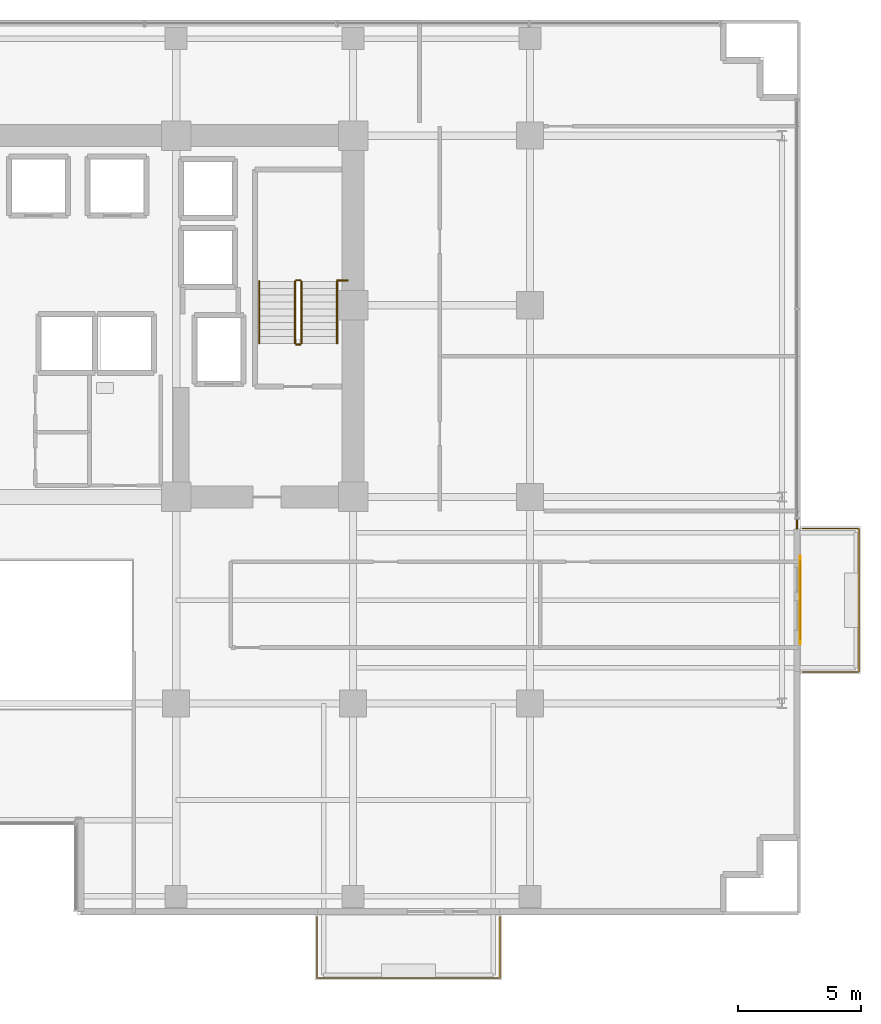
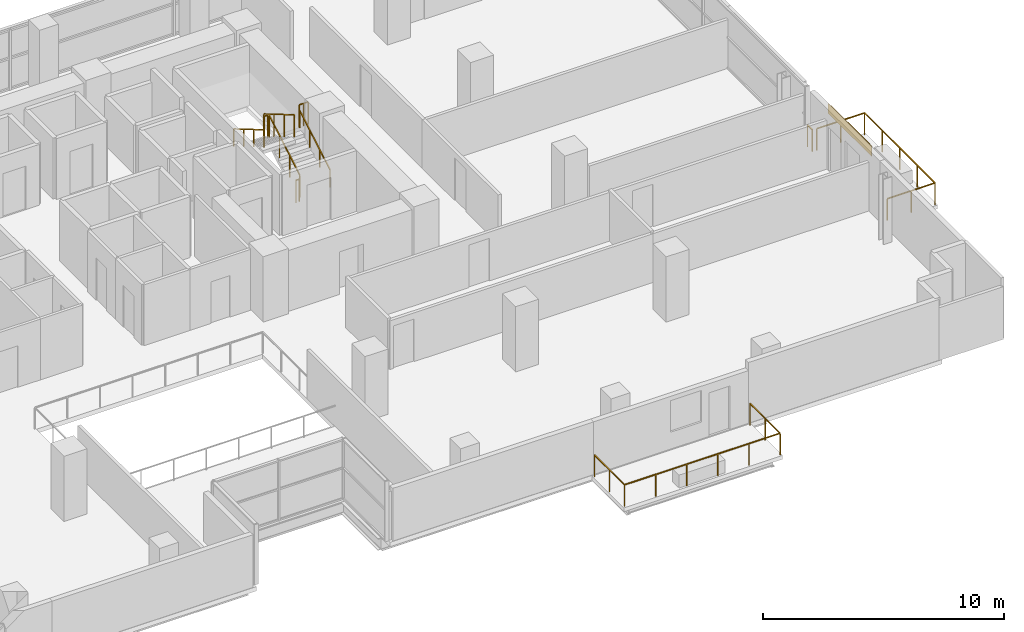
# One storey, part 25 of 26: 10 railings, 1 covering, 1 shading device.
"""IFC4 building model written with IfcOpenShell, lengths in metres."""

from ifc_helpers import new_model, si_unit, direction, frame, origin, origin_2d, place, context, subcontext, project, spatial, rectangle, extrude, source, transform, mapped, material, layer, layer_set, type_object, element, save


model = new_model("IFC4")

# Units and contexts
model_context = context("Model", 3, precision=1e-05, world=origin(), true_north=direction((0.0, 1.0)))
body_context = subcontext(model_context, "Body", "Model", "MODEL_VIEW")
ifc_project = project(units=[si_unit("LENGTHUNIT", "METRE"), si_unit("AREAUNIT", "SQUARE_METRE"), si_unit("VOLUMEUNIT", "CUBIC_METRE"), si_unit("PLANEANGLEUNIT", "RADIAN"), si_unit("MASSUNIT", "GRAM", prefix="KILO")], contexts=[model_context])

# Site, building, storey
site_placement = place(None, origin())
site = spatial("IfcSite", under=ifc_project, at=site_placement, CompositionType="ELEMENT")
building_placement = place(site_placement, origin())
building = spatial("IfcBuilding", under=site, at=building_placement, Name="Zarnakvel Exchange Tower", CompositionType="ELEMENT")
storey_placement = place(building_placement, frame((0.0, 0.0, 70.300048828125)))
storey = spatial("IfcBuildingStorey", under=building, at=storey_placement, Name="L19", CompositionType="ELEMENT", Elevation=70.300048828125)

# Railings
ifc_material_1 = material(Name="Architectural Bronze Anodised Aluminium", Category="aluminium")
railing_type_1 = type_object("IfcRailingType", Name="GR-02", PredefinedType="GUARDRAIL", material=ifc_material_1)
railing_1_placement = place(storey_placement, frame((12.929931640625, -18.280029296875, -0.03515625)))
element("IfcRailing", 1, at=railing_1_placement, inside=storey, type_object=railing_type_1, Name="L19 Balcony Guardrail BAL-L19-SE", PredefinedType="GUARDRAIL", context=body_context, shape_type="SweptSolid", body=[
    extrude(rectangle(XDim=0.048095703125, YDim=0.048095703125, at=origin_2d()), frame((0.0, 0.0, 1.09619140625), z_axis=(0.0, -1.0, 0.0), x_axis=(1.0, 0.0, 0.0)), (0.0, 0.0, 1.0), 2.489990234375),
    extrude(rectangle(XDim=0.048095703125, YDim=0.048095703125, at=origin_2d()), frame((0.0, -2.489990234375, 1.09619140625), z_axis=(1.0, 0.0, 0.0), x_axis=(0.0, 1.0, 0.0)), (0.0, 0.0, 1.0), 7.440185546875),
    extrude(rectangle(XDim=0.048095703125, YDim=0.048095703125, at=origin_2d()), frame((7.440185546875, -2.489990234375, 1.09619140625), z_axis=(0.0, 1.0, 0.0), x_axis=(-1.0, 0.0, 0.0)), (0.0, 0.0, 1.0), 2.489990234375),
    extrude(rectangle(XDim=0.0419921875, YDim=0.0419921875, at=origin_2d()), origin(), (0.0, 0.0, 1.0), 1.072021484375),
    extrude(rectangle(XDim=0.0419921875, YDim=0.0419921875, at=origin_2d()), frame((0.0, -1.2451171875, 0.0)), (0.0, 0.0, 1.0), 1.072021484375),
    extrude(rectangle(XDim=0.0419921875, YDim=0.0419921875, at=origin_2d()), frame((0.0, -2.489990234375, 0.0)), (0.0, 0.0, 1.0), 1.072021484375),
    extrude(rectangle(XDim=0.0419921875, YDim=0.0419921875, at=origin_2d()), frame((1.488037109375, -2.489990234375, 0.0)), (0.0, 0.0, 1.0), 1.072021484375),
    extrude(rectangle(XDim=0.0419921875, YDim=0.0419921875, at=origin_2d()), frame((2.97607421875, -2.489990234375, 0.0)), (0.0, 0.0, 1.0), 1.072021484375),
    extrude(rectangle(XDim=0.0419921875, YDim=0.0419921875, at=origin_2d()), frame((4.464111328125, -2.489990234375, 0.0)), (0.0, 0.0, 1.0), 1.072021484375),
    extrude(rectangle(XDim=0.0419921875, YDim=0.0419921875, at=origin_2d()), frame((5.9521484375, -2.489990234375, 0.0)), (0.0, 0.0, 1.0), 1.072021484375),
    extrude(rectangle(XDim=0.0419921875, YDim=0.0419921875, at=origin_2d()), frame((7.440185546875, -2.489990234375, 0.0)), (0.0, 0.0, 1.0), 1.072021484375),
    extrude(rectangle(XDim=0.0419921875, YDim=0.0419921875, at=origin_2d()), frame((7.440185546875, -1.2451171875, 0.0)), (0.0, 0.0, 1.0), 1.072021484375),
    extrude(rectangle(XDim=0.0419921875, YDim=0.0419921875, at=origin_2d()), frame((7.440185546875, 0.0, 0.0)), (0.0, 0.0, 1.0), 1.072021484375),
])
railing_2_placement = place(storey_placement, frame((32.679931640625, -8.320068359375, -0.03515625)))
element("IfcRailing", 2, at=railing_2_placement, inside=storey, type_object=railing_type_1, Name="L19 Balcony Guardrail BAL-L19-E", PredefinedType="GUARDRAIL", context=body_context, shape_type="SweptSolid", body=[
    extrude(rectangle(XDim=0.048095703125, YDim=0.048095703125, at=origin_2d()), frame((0.0, 0.0, 1.09619140625), z_axis=(1.0, 0.0, 0.0), x_axis=(0.0, 1.0, 0.0)), (0.0, 0.0, 1.0), 2.2900390625),
    extrude(rectangle(XDim=0.048095703125, YDim=0.048095703125, at=origin_2d()), frame((2.2900390625, 0.0, 1.09619140625), z_axis=(0.0, 1.0, 0.0), x_axis=(-1.0, 0.0, 0.0)), (0.0, 0.0, 1.0), 5.840087890625),
    extrude(rectangle(XDim=0.048095703125, YDim=0.048095703125, at=origin_2d()), frame((2.2900390625, 5.840087890625, 1.09619140625), z_axis=(-1.0, 0.0, 0.0), x_axis=(0.0, -1.0, 0.0)), (0.0, 0.0, 1.0), 2.2900390625),
    extrude(rectangle(XDim=0.0419921875, YDim=0.0419921875, at=origin_2d()), origin(), (0.0, 0.0, 1.0), 1.072021484375),
    extrude(rectangle(XDim=0.0419921875, YDim=0.0419921875, at=origin_2d()), frame((1.14501953125, 0.0, 0.0)), (0.0, 0.0, 1.0), 1.072021484375),
    extrude(rectangle(XDim=0.0419921875, YDim=0.0419921875, at=origin_2d()), frame((2.2900390625, 0.0, 0.0)), (0.0, 0.0, 1.0), 1.072021484375),
    extrude(rectangle(XDim=0.0419921875, YDim=0.0419921875, at=origin_2d()), frame((2.2900390625, 1.4599609375, 0.0)), (0.0, 0.0, 1.0), 1.072021484375),
    extrude(rectangle(XDim=0.0419921875, YDim=0.0419921875, at=origin_2d()), frame((2.2900390625, 2.919921875, 0.0)), (0.0, 0.0, 1.0), 1.072021484375),
    extrude(rectangle(XDim=0.0419921875, YDim=0.0419921875, at=origin_2d()), frame((2.2900390625, 4.380126953125, 0.0)), (0.0, 0.0, 1.0), 1.072021484375),
    extrude(rectangle(XDim=0.0419921875, YDim=0.0419921875, at=origin_2d()), frame((2.2900390625, 5.840087890625, 0.0)), (0.0, 0.0, 1.0), 1.072021484375),
    extrude(rectangle(XDim=0.0419921875, YDim=0.0419921875, at=origin_2d()), frame((1.14501953125, 5.840087890625, 0.0)), (0.0, 0.0, 1.0), 1.072021484375),
    extrude(rectangle(XDim=0.0419921875, YDim=0.0419921875, at=origin_2d()), frame((0.0, 5.840087890625, 0.0)), (0.0, 0.0, 1.0), 1.072021484375),
])
railing_3_placement = place(storey_placement, frame((32.4599609375, -2.10009765625, 0.0)))
element("IfcRailing", 3, at=railing_3_placement, inside=storey, type_object=railing_type_1, Name="L19 Corner Spandrel Balustrade #9", PredefinedType="GUARDRAIL", context=body_context, shape_type="SweptSolid", body=[
    extrude(rectangle(XDim=0.048095703125, YDim=0.048095703125, at=origin_2d()), frame((0.0, 0.0, 1.09619140625), z_axis=(0.0, -1.0, 0.0), x_axis=(1.0, 0.0, 0.0)), (0.0, 0.0, 1.0), 0.39990234375),
    extrude(rectangle(XDim=0.0419921875, YDim=0.0419921875, at=origin_2d()), origin(), (0.0, 0.0, 1.0), 1.072021484375),
    extrude(rectangle(XDim=0.0419921875, YDim=0.0419921875, at=origin_2d()), frame((0.0, -0.39990234375, 0.0)), (0.0, 0.0, 1.0), 1.072021484375),
])
ifc_material_2 = material(Name="Brushed Stainless Steel", Category="steel")
railing_type_2 = type_object("IfcRailingType", Name="HR-01", PredefinedType="HANDRAIL", material=ifc_material_2)
railing_4_placement = place(storey_placement, frame((13.75, 5.050048828125, 0.1650390625)))
element("IfcRailing", 4, at=railing_4_placement, inside=storey, type_object=railing_type_2, Name="L19 ST-02 stair handrail 1", PredefinedType="HANDRAIL", context=body_context, shape_type="SweptSolid", body=[
    extrude(rectangle(XDim=0.048095703125, YDim=0.048095703125, at=origin_2d()), frame((0.0, 0.0, 0.8759765625), z_axis=(0.0, 0.861560626758, 0.507654692109), x_axis=(-1.0, 0.0, 0.0)), (0.0, 0.0, 1.0), 2.925048828125),
    extrude(rectangle(XDim=0.0419921875, YDim=0.0419921875, at=origin_2d()), origin(), (0.0, 0.0, 1.0), 0.851806640625),
    extrude(rectangle(XDim=0.0419921875, YDim=0.0419921875, at=origin_2d()), frame((0.0, 0.840087890625, 0.494873046875)), (0.0, 0.0, 1.0), 0.851806640625),
    extrude(rectangle(XDim=0.0419921875, YDim=0.0419921875, at=origin_2d()), frame((0.0, 1.679931640625, 0.989990234375)), (0.0, 0.0, 1.0), 0.851806640625),
    extrude(rectangle(XDim=0.0419921875, YDim=0.0419921875, at=origin_2d()), frame((0.0, 2.52001953125, 1.48486328125)), (0.0, 0.0, 1.0), 0.851806640625),
])
railing_5_placement = place(storey_placement, frame((10.590087890625, 7.570068359375, 1.81494140625)))
element("IfcRailing", 5, at=railing_5_placement, inside=storey, type_object=railing_type_2, Name="L19 ST-02 stair handrail 2", PredefinedType="HANDRAIL", context=body_context, shape_type="SweptSolid", body=[
    extrude(rectangle(XDim=0.048095703125, YDim=0.048095703125, at=origin_2d()), frame((0.0, 0.0, 0.8759765625), z_axis=(0.0, -0.86152411907, 0.507716645641), x_axis=(1.0, 0.0, 0.0)), (0.0, 0.0, 1.0), 2.925048828125),
    extrude(rectangle(XDim=0.0419921875, YDim=0.0419921875, at=origin_2d()), origin(), (0.0, 0.0, 1.0), 0.851806640625),
    extrude(rectangle(XDim=0.0419921875, YDim=0.0419921875, at=origin_2d()), frame((0.0, -0.840087890625, 0.4951171875)), (0.0, 0.0, 1.0), 0.851806640625),
    extrude(rectangle(XDim=0.0419921875, YDim=0.0419921875, at=origin_2d()), frame((0.0, -1.679931640625, 0.989990234375)), (0.0, 0.0, 1.0), 0.851806640625),
    extrude(rectangle(XDim=0.0419921875, YDim=0.0419921875, at=origin_2d()), frame((0.0, -2.52001953125, 1.485107421875)), (0.0, 0.0, 1.0), 0.851806640625),
])
railing_type_3 = type_object("IfcRailingType", Name="SG-01", PredefinedType="GUARDRAIL", material=ifc_material_1)
railing_6_placement = place(storey_placement, frame((12.300048828125, 5.050048828125, 0.1650390625)))
element("IfcRailing", 6, at=railing_6_placement, inside=storey, type_object=railing_type_3, Name="L19 ST-02 stair guard 1", PredefinedType="GUARDRAIL", context=body_context, shape_type="SweptSolid", body=[
    extrude(rectangle(XDim=0.048095703125, YDim=0.048095703125, at=origin_2d()), frame((0.0, 0.0, 1.1259765625), z_axis=(0.0, 0.861560626758, 0.507654692109), x_axis=(-1.0, 0.0, 0.0)), (0.0, 0.0, 1.0), 2.925048828125),
    extrude(rectangle(XDim=0.0419921875, YDim=0.0419921875, at=origin_2d()), origin(), (0.0, 0.0, 1.0), 1.101806640625),
    extrude(rectangle(XDim=0.0419921875, YDim=0.0419921875, at=origin_2d()), frame((0.0, 0.840087890625, 0.494873046875)), (0.0, 0.0, 1.0), 1.101806640625),
    extrude(rectangle(XDim=0.0419921875, YDim=0.0419921875, at=origin_2d()), frame((0.0, 1.679931640625, 0.989990234375)), (0.0, 0.0, 1.0), 1.101806640625),
    extrude(rectangle(XDim=0.0419921875, YDim=0.0419921875, at=origin_2d()), frame((0.0, 2.52001953125, 1.48486328125)), (0.0, 0.0, 1.0), 1.101806640625),
])
railing_7_placement = place(storey_placement, frame((12.25, 7.6201171875, 1.64990234375)))
element("IfcRailing", 7, at=railing_7_placement, inside=storey, type_object=railing_type_3, Name="L19 ST-02 stair guard 2", PredefinedType="GUARDRAIL", context=body_context, shape_type="SweptSolid", body=[
    extrude(rectangle(XDim=0.048095703125, YDim=0.048095703125, at=origin_2d()), frame((0.0, 0.0, 1.1259765625), z_axis=(-1.0, 0.0, 0.0), x_axis=(0.0, -1.0, 0.0)), (0.0, 0.0, 1.0), 0.159912109375),
    extrude(rectangle(XDim=0.0419921875, YDim=0.0419921875, at=origin_2d()), origin(), (0.0, 0.0, 1.0), 1.101806640625),
    extrude(rectangle(XDim=0.0419921875, YDim=0.0419921875, at=origin_2d()), frame((-0.159912109375, 0.0, 0.0)), (0.0, 0.0, 1.0), 1.101806640625),
])
railing_8_placement = place(storey_placement, frame((12.0400390625, 7.570068359375, 1.81494140625)))
element("IfcRailing", 8, at=railing_8_placement, inside=storey, type_object=railing_type_3, Name="L19 ST-02 stair guard 3", PredefinedType="GUARDRAIL", context=body_context, shape_type="SweptSolid", body=[
    extrude(rectangle(XDim=0.048095703125, YDim=0.048095703125, at=origin_2d()), frame((0.0, 0.0, 1.1259765625), z_axis=(0.0, -0.86152411907, 0.507716645641), x_axis=(1.0, 0.0, 0.0)), (0.0, 0.0, 1.0), 2.925048828125),
    extrude(rectangle(XDim=0.0419921875, YDim=0.0419921875, at=origin_2d()), origin(), (0.0, 0.0, 1.0), 1.101806640625),
    extrude(rectangle(XDim=0.0419921875, YDim=0.0419921875, at=origin_2d()), frame((0.0, -0.840087890625, 0.4951171875)), (0.0, 0.0, 1.0), 1.101806640625),
    extrude(rectangle(XDim=0.0419921875, YDim=0.0419921875, at=origin_2d()), frame((0.0, -1.679931640625, 0.989990234375)), (0.0, 0.0, 1.0), 1.101806640625),
    extrude(rectangle(XDim=0.0419921875, YDim=0.0419921875, at=origin_2d()), frame((0.0, -2.52001953125, 1.485107421875)), (0.0, 0.0, 1.0), 1.101806640625),
])
railing_9_placement = place(storey_placement, frame((12.25, 5.0, 0.0)))
element("IfcRailing", 9, at=railing_9_placement, inside=storey, type_object=railing_type_3, Name="L19 ST-02 stair guard 4", PredefinedType="GUARDRAIL", context=body_context, shape_type="SweptSolid", body=[
    extrude(rectangle(XDim=0.048095703125, YDim=0.048095703125, at=origin_2d()), frame((0.0, 0.0, 1.1259765625), z_axis=(-1.0, 0.0, 0.0), x_axis=(0.0, -1.0, 0.0)), (0.0, 0.0, 1.0), 0.159912109375),
    extrude(rectangle(XDim=0.0419921875, YDim=0.0419921875, at=origin_2d()), origin(), (0.0, 0.0, 1.0), 1.101806640625),
    extrude(rectangle(XDim=0.0419921875, YDim=0.0419921875, at=origin_2d()), frame((-0.159912109375, 0.0, 0.0)), (0.0, 0.0, 1.0), 1.101806640625),
])
railing_10_placement = place(storey_placement, frame((13.75, 7.610107421875, 1.64990234375)))
element("IfcRailing", 10, at=railing_10_placement, inside=storey, type_object=railing_type_3, Name="L19 ST-02 Landing Slot Guardrail", PredefinedType="GUARDRAIL", context=body_context, shape_type="SweptSolid", body=[
    extrude(rectangle(XDim=0.048095703125, YDim=0.048095703125, at=origin_2d()), frame((0.0, 0.0, 1.1259765625), z_axis=(1.0, 0.0, 0.0), x_axis=(0.0, 1.0, 0.0)), (0.0, 0.0, 1.0), 0.429931640625),
    extrude(rectangle(XDim=0.0419921875, YDim=0.0419921875, at=origin_2d()), origin(), (0.0, 0.0, 1.0), 1.101806640625),
    extrude(rectangle(XDim=0.0419921875, YDim=0.0419921875, at=origin_2d()), frame((0.21484375, 0.0, 0.0)), (0.0, 0.0, 1.0), 1.101806640625),
    extrude(rectangle(XDim=0.0419921875, YDim=0.0419921875, at=origin_2d()), frame((0.429931640625, 0.0, 0.0)), (0.0, 0.0, 1.0), 1.101806640625),
])

# Shading device
ifc_material_3 = material(Name="Perforated Architectural Bronze Screen", Category="aluminium")
ifc_layer_1 = layer(ifc_material_3, 0.044921875)
ifc_layer_set_1 = layer_set([ifc_layer_1], Name="Perforated Architectural Bronze Screen")
shading_device_type = type_object("IfcShadingDeviceType", Name="SS-01", PredefinedType="JALOUSIE", material=ifc_layer_set_1)
shared_shape_1 = source(origin(), body_context, "Body", "SweptSolid", [
    extrude(rectangle(XDim=3.199951171875, YDim=0.044921875, at=origin_2d()), origin(), (0.0, 0.0, 1.0), 0.4951171875),
])
shading_device_placement = place(storey_placement, frame((32.6005859375, -5.39990234375, 2.559814453125), z_axis=(0.0, 0.0, 1.0), x_axis=(0.0, -1.0, 0.0)))
element("IfcShadingDevice", 11, at=shading_device_placement, inside=storey, type_object=shading_device_type, Name="L19 Bronze Solar Shading Screen SS-01", PredefinedType="JALOUSIE", context=body_context, shape_type="MappedRepresentation", body=[
    mapped(shared_shape_1, transform((0.0, 0.0, 0.0), x_axis=(1.0, 0.0, 0.0), y_axis=(0.0, 1.0, 0.0), z_axis=(0.0, 0.0, 1.0), scale=1.0)),
])

# Covering
ifc_material_4 = material(Name="Glazed Turquoise Ceramic Architectural Tile", Category="ceramic")
ifc_layer_2 = layer(ifc_material_4, 0.028076171875)
ifc_layer_set_2 = layer_set([ifc_layer_2], Name="Glazed Turquoise Ceramic Architectural Tile")
covering_type = type_object("IfcCoveringType", Name="CL-01", PredefinedType="CLADDING", material=ifc_layer_set_2)
shared_shape_2 = source(origin(), body_context, "Body", "SweptSolid", [
    extrude(rectangle(XDim=3.60009765625, YDim=0.028076171875, at=origin_2d()), origin(), (0.0, 0.0, 1.0), 0.4951171875),
])
covering_placement = place(storey_placement, frame((32.592041015625, -5.39990234375, 2.559814453125), z_axis=(0.0, 0.0, 1.0), x_axis=(0.0, -1.0, 0.0)))
element("IfcCovering", 12, at=covering_placement, inside=storey, type_object=covering_type, Name="L19 Ceramic Spandrel Tilework CL-01", PredefinedType="CLADDING", context=body_context, shape_type="MappedRepresentation", body=[
    mapped(shared_shape_2, transform((0.0, 0.0, 0.0), x_axis=(1.0, 0.0, 0.0), y_axis=(0.0, 1.0, 0.0), z_axis=(0.0, 0.0, 1.0), scale=1.0)),
])

save(model, "model.ifc")
